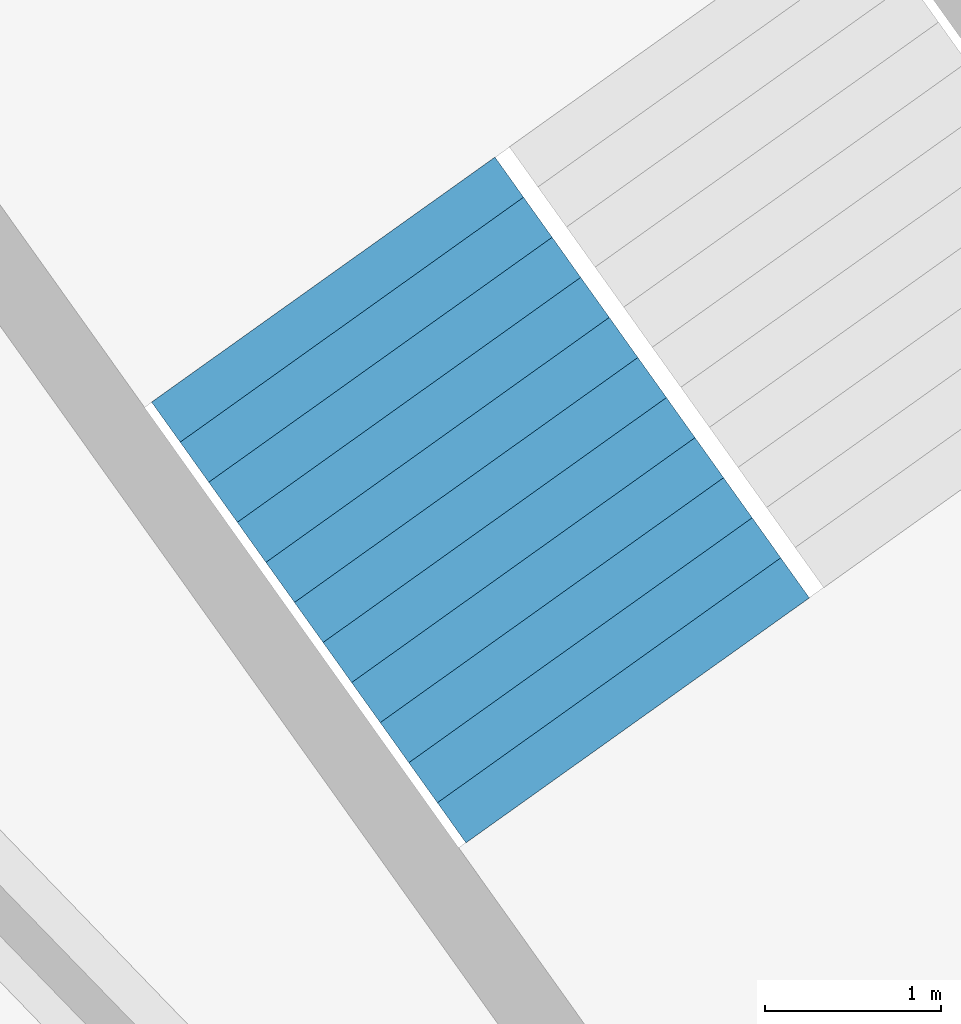
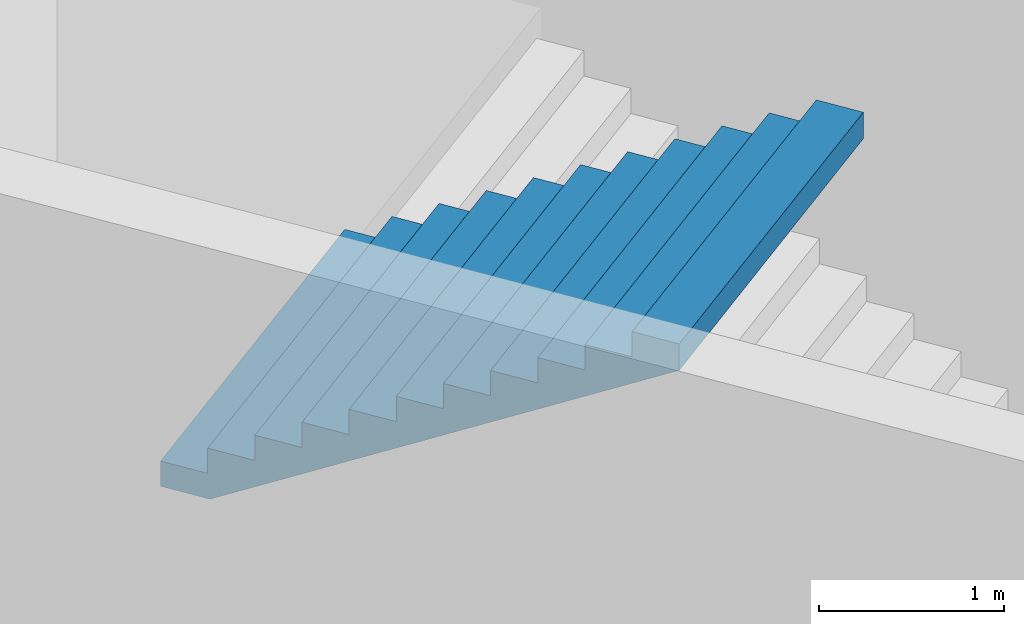
# One storey, part 43 of 74: 1 stair flight, 1 element without a shape of its own.
"""IFC4 building model written with IfcOpenShell, lengths in metres."""

from ifc_helpers import new_model, si_unit, direction, frame, origin, place, context, subcontext, project, spatial, triangles, material, type_object, element, aggregate, save


model = new_model("IFC4")

# Units and contexts
model_context = context("Model", 3, precision=1e-05, world=origin(), true_north=direction((0.0, 1.0)))
body_context = subcontext(model_context, "Body", "Model", "MODEL_VIEW")
ifc_project = project(units=[si_unit("LENGTHUNIT", "METRE"), si_unit("AREAUNIT", "SQUARE_METRE"), si_unit("VOLUMEUNIT", "CUBIC_METRE"), si_unit("PLANEANGLEUNIT", "RADIAN"), si_unit("MASSUNIT", "GRAM", prefix="KILO")], contexts=[model_context])

# Site, building, storey
site_placement = place(None, origin())
site = spatial("IfcSite", under=ifc_project, at=site_placement, CompositionType="ELEMENT")
building_placement = place(site_placement, origin())
building = spatial("IfcBuilding", under=site, at=building_placement, Name="Lantaw Convention Tower", CompositionType="ELEMENT")
storey_placement = place(building_placement, frame((0.0, 0.0, 6.5)))
storey = spatial("IfcBuildingStorey", under=building, at=storey_placement, Name="L01", CompositionType="ELEMENT", Elevation=6.5)

# Stair, stair flight
ifc_material = material(Name="Concrete C35/45", Category="concrete")
stair_type = type_object("IfcStairType", Name="Exit stair 2400 riser 166.67 in 4 flights", PredefinedType="HALF_TURN_STAIR", material=ifc_material)
stair_placement = place(storey_placement, origin())
stair = element("IfcStair", 1, at=stair_placement, inside=storey, type_object=stair_type, Name="Podium exit stair P6 L01", PredefinedType="HALF_TURN_STAIR")
stair_flight_type = type_object("IfcStairFlightType", Name="Stair flight 2400 riser 166.67", PredefinedType="STRAIGHT", material=ifc_material)
stair_flight_placement = place(storey_placement, frame((-20.794189453125, 26.999755859375, 6.0), z_axis=(0.0, 0.0, 1.0), x_axis=(0.580702955711, -0.814115518356, 0.0)))
stair_flight = element("IfcStairFlight", 2, at=stair_flight_placement, type_object=stair_flight_type, Name="P6 flight 4", NumberOfRisers=12, NumberOfTreads=11, PredefinedType="STRAIGHT", RiserHeight=0.166666667, TreadLength=0.28, context=body_context, shape_type="Tessellation", body=[
    triangles([(0.0, 1.199951171875, 0.0), (0.0, 1.199951171875, 0.166666667), (0.28, 1.199951171875, 0.0), (0.28, 1.199951171875, 0.166666667), (0.28, 1.199951171875, 0.333333334), (0.29307345806906726, 1.199951171875, 0.0), (0.29307345806906726, 1.199951171875, 0.333333334), (0.56, 1.199951171875, 0.15888484670522965), (0.56, 1.199951171875, 0.333333334), (0.56, 1.199951171875, 0.500000001), (0.8400000000000001, 1.199951171875, 0.3255515137052296), (0.8400000000000001, 1.199951171875, 0.500000001), (0.8400000000000001, 1.199951171875, 0.666666668), (1.12, 1.199951171875, 0.4922181807052296), (1.12, 1.199951171875, 0.666666668), (1.12, 1.199951171875, 0.833333335), (1.4000000000000001, 1.199951171875, 0.6588848477052296), (1.4000000000000001, 1.199951171875, 0.833333335), (1.4000000000000001, 1.199951171875, 1.000000002), (1.6800000000000002, 1.199951171875, 0.8255515147052296), (1.6800000000000002, 1.199951171875, 1.000000002), (1.6800000000000002, 1.199951171875, 1.166666669), (1.9600000000000002, 1.199951171875, 0.9922181817052296), (1.9600000000000002, 1.199951171875, 1.166666669), (1.9600000000000002, 1.199951171875, 1.333333336), (2.24, 1.199951171875, 1.1588848487052295), (2.24, 1.199951171875, 1.333333336), (2.24, 1.199951171875, 1.5000000029999998), (2.5200000000000005, 1.199951171875, 1.3255515157052296), (2.5200000000000005, 1.199951171875, 1.5000000029999998), (2.5200000000000005, 1.199951171875, 1.66666667), (2.8000000000000003, 1.199951171875, 1.4922181827052294), (2.8000000000000003, 1.199951171875, 1.66666667), (2.8000000000000003, 1.199951171875, 1.833333337), (3.08, 1.199951171875, 1.6588848497052293), (3.08, 1.199951171875, 1.833333337), (0.0, -1.199951171875, 0.0), (0.0, -1.199951171875, 0.166666667), (0.28, -1.199951171875, 0.0), (0.28, -1.199951171875, 0.166666667), (0.28, -1.199951171875, 0.333333334), (0.29307345806906726, -1.199951171875, 0.0), (0.29307345806906726, -1.199951171875, 0.333333334), (0.56, -1.199951171875, 0.15888484670522965), (0.56, -1.199951171875, 0.333333334), (0.56, -1.199951171875, 0.500000001), (0.8400000000000001, -1.199951171875, 0.3255515137052296), (0.8400000000000001, -1.199951171875, 0.500000001), (0.8400000000000001, -1.199951171875, 0.666666668), (1.12, -1.199951171875, 0.4922181807052296), (1.12, -1.199951171875, 0.666666668), (1.12, -1.199951171875, 0.833333335), (1.4000000000000001, -1.199951171875, 0.6588848477052296), (1.4000000000000001, -1.199951171875, 0.833333335), (1.4000000000000001, -1.199951171875, 1.000000002), (1.6800000000000002, -1.199951171875, 0.8255515147052296), (1.6800000000000002, -1.199951171875, 1.000000002), (1.6800000000000002, -1.199951171875, 1.166666669), (1.9600000000000002, -1.199951171875, 0.9922181817052296), (1.9600000000000002, -1.199951171875, 1.166666669), (1.9600000000000002, -1.199951171875, 1.333333336), (2.24, -1.199951171875, 1.1588848487052295), (2.24, -1.199951171875, 1.333333336), (2.24, -1.199951171875, 1.5000000029999998), (2.5200000000000005, -1.199951171875, 1.3255515157052296), (2.5200000000000005, -1.199951171875, 1.5000000029999998), (2.5200000000000005, -1.199951171875, 1.66666667), (2.8000000000000003, -1.199951171875, 1.4922181827052294), (2.8000000000000003, -1.199951171875, 1.66666667), (2.8000000000000003, -1.199951171875, 1.833333337), (3.08, -1.199951171875, 1.6588848497052293), (3.08, -1.199951171875, 1.833333337), (0.0, 0.239990234375, 0.166666667), (0.0, 0.239990234375, 0.0), (0.0, 0.1199951171875, 0.166666667), (0.0, 0.1199951171875, 0.0), (0.0, 0.0, 0.166666667), (0.0, 0.0, 0.0), (0.0, -0.1199951171875, 0.166666667), (0.0, -0.1199951171875, 0.0), (0.0, -0.239990234375, 0.166666667), (0.0, -0.239990234375, 0.0), (0.28, 0.239990234375, 0.333333334), (0.28, 0.239990234375, 0.166666667), (0.28, 0.1199951171875, 0.333333334), (0.28, 0.1199951171875, 0.166666667), (0.28, 0.0, 0.333333334), (0.28, 0.0, 0.166666667), (0.28, -0.1199951171875, 0.333333334), (0.28, -0.1199951171875, 0.166666667), (0.28, -0.239990234375, 0.333333334), (0.28, -0.239990234375, 0.166666667), (0.56, 0.239990234375, 0.500000001), (0.56, 0.239990234375, 0.333333334), (0.56, 0.1199951171875, 0.500000001), (0.56, 0.1199951171875, 0.333333334), (0.56, 0.0, 0.500000001), (0.56, 0.0, 0.333333334), (0.56, -0.1199951171875, 0.500000001), (0.56, -0.1199951171875, 0.333333334), (0.56, -0.239990234375, 0.500000001), (0.56, -0.239990234375, 0.333333334), (0.8400000000000001, 0.239990234375, 0.666666668), (0.8400000000000001, 0.239990234375, 0.500000001), (0.8400000000000001, 0.1199951171875, 0.666666668), (0.8400000000000001, 0.1199951171875, 0.500000001), (0.8400000000000001, 0.0, 0.666666668), (0.8400000000000001, 0.0, 0.500000001), (0.8400000000000001, -0.1199951171875, 0.666666668), (0.8400000000000001, -0.1199951171875, 0.500000001), (0.8400000000000001, -0.239990234375, 0.666666668), (0.8400000000000001, -0.239990234375, 0.500000001), (1.12, 0.239990234375, 0.833333335), (1.12, 0.239990234375, 0.666666668), (1.12, 0.1199951171875, 0.833333335), (1.12, 0.1199951171875, 0.666666668), (1.12, 0.0, 0.833333335), (1.12, 0.0, 0.666666668), (1.12, -0.1199951171875, 0.833333335), (1.12, -0.1199951171875, 0.666666668), (1.12, -0.239990234375, 0.833333335), (1.12, -0.239990234375, 0.666666668), (1.4000000000000001, 0.239990234375, 1.000000002), (1.4000000000000001, 0.239990234375, 0.833333335), (1.4000000000000001, 0.1199951171875, 1.000000002), (1.4000000000000001, 0.1199951171875, 0.833333335), (1.4000000000000001, 0.0, 1.000000002), (1.4000000000000001, 0.0, 0.833333335), (1.4000000000000001, -0.1199951171875, 1.000000002), (1.4000000000000001, -0.1199951171875, 0.833333335), (1.4000000000000001, -0.239990234375, 1.000000002), (1.4000000000000001, -0.239990234375, 0.833333335), (1.6800000000000002, 0.239990234375, 1.166666669), (1.6800000000000002, 0.239990234375, 1.000000002), (1.6800000000000002, 0.1199951171875, 1.166666669), (1.6800000000000002, 0.1199951171875, 1.000000002), (1.6800000000000002, 0.0, 1.166666669), (1.6800000000000002, 0.0, 1.000000002), (1.6800000000000002, -0.1199951171875, 1.166666669), (1.6800000000000002, -0.1199951171875, 1.000000002), (1.6800000000000002, -0.239990234375, 1.166666669), (1.6800000000000002, -0.239990234375, 1.000000002), (1.9600000000000002, 0.239990234375, 1.333333336), (1.9600000000000002, 0.239990234375, 1.166666669), (1.9600000000000002, 0.1199951171875, 1.333333336), (1.9600000000000002, 0.1199951171875, 1.166666669), (1.9600000000000002, 0.0, 1.333333336), (1.9600000000000002, 0.0, 1.166666669), (1.9600000000000002, -0.1199951171875, 1.333333336), (1.9600000000000002, -0.1199951171875, 1.166666669), (1.9600000000000002, -0.239990234375, 1.333333336), (1.9600000000000002, -0.239990234375, 1.166666669), (2.24, 0.239990234375, 1.5000000029999998), (2.24, 0.239990234375, 1.333333336), (2.24, 0.1199951171875, 1.5000000029999998), (2.24, 0.1199951171875, 1.333333336), (2.24, 0.0, 1.5000000029999998), (2.24, 0.0, 1.333333336), (2.24, -0.1199951171875, 1.5000000029999998), (2.24, -0.1199951171875, 1.333333336), (2.24, -0.239990234375, 1.5000000029999998), (2.24, -0.239990234375, 1.333333336), (2.5200000000000005, 0.239990234375, 1.66666667), (2.5200000000000005, 0.239990234375, 1.5000000029999998), (2.5200000000000005, 0.1199951171875, 1.66666667), (2.5200000000000005, 0.1199951171875, 1.5000000029999998), (2.5200000000000005, 0.0, 1.66666667), (2.5200000000000005, 0.0, 1.5000000029999998), (2.5200000000000005, -0.1199951171875, 1.66666667), (2.5200000000000005, -0.1199951171875, 1.5000000029999998), (2.5200000000000005, -0.239990234375, 1.66666667), (2.5200000000000005, -0.239990234375, 1.5000000029999998), (2.8000000000000003, 0.239990234375, 1.833333337), (2.8000000000000003, 0.239990234375, 1.66666667), (2.8000000000000003, 0.1199951171875, 1.833333337), (2.8000000000000003, 0.1199951171875, 1.66666667), (2.8000000000000003, 0.0, 1.833333337), (2.8000000000000003, 0.0, 1.66666667), (2.8000000000000003, -0.1199951171875, 1.833333337), (2.8000000000000003, -0.1199951171875, 1.66666667), (2.8000000000000003, -0.239990234375, 1.833333337), (2.8000000000000003, -0.239990234375, 1.66666667), (0.29307345806906726, 0.239990234375, 0.333333334), (0.29307345806906726, 0.1199951171875, 0.333333334), (0.29307345806906726, 0.0, 0.333333334), (0.29307345806906726, -0.1199951171875, 0.333333334), (0.29307345806906726, -0.239990234375, 0.333333334), (3.08, 0.239990234375, 1.833333337), (3.08, 0.1199951171875, 1.833333337), (3.08, 0.0, 1.833333337), (3.08, -0.1199951171875, 1.833333337), (3.08, -0.239990234375, 1.833333337), (3.08, 0.239990234375, 1.6588848497052293), (3.08, 0.1199951171875, 1.6588848497052293), (3.08, 0.0, 1.6588848497052293), (3.08, -0.1199951171875, 1.6588848497052293), (3.08, -0.239990234375, 1.6588848497052293), (2.8000000000000003, 0.239990234375, 1.4922181827052294), (2.8000000000000003, 0.1199951171875, 1.4922181827052294), (2.8000000000000003, 0.0, 1.4922181827052294), (2.8000000000000003, -0.1199951171875, 1.4922181827052294), (2.8000000000000003, -0.239990234375, 1.4922181827052294), (2.5200000000000005, 0.239990234375, 1.3255515157052296), (2.5200000000000005, 0.1199951171875, 1.3255515157052296), (2.5200000000000005, 0.0, 1.3255515157052296), (2.5200000000000005, -0.1199951171875, 1.3255515157052296), (2.5200000000000005, -0.239990234375, 1.3255515157052296), (2.24, 0.239990234375, 1.1588848487052295), (2.24, 0.1199951171875, 1.1588848487052295), (2.24, 0.0, 1.1588848487052295), (2.24, -0.1199951171875, 1.1588848487052295), (2.24, -0.239990234375, 1.1588848487052295), (1.9600000000000002, 0.239990234375, 0.9922181817052296), (1.9600000000000002, 0.1199951171875, 0.9922181817052296), (1.9600000000000002, 0.0, 0.9922181817052296), (1.9600000000000002, -0.1199951171875, 0.9922181817052296), (1.9600000000000002, -0.239990234375, 0.9922181817052296), (1.6800000000000002, 0.239990234375, 0.8255515147052296), (1.6800000000000002, 0.1199951171875, 0.8255515147052296), (1.6800000000000002, 0.0, 0.8255515147052296), (1.6800000000000002, -0.1199951171875, 0.8255515147052296), (1.6800000000000002, -0.239990234375, 0.8255515147052296), (1.4000000000000001, 0.239990234375, 0.6588848477052296), (1.4000000000000001, 0.1199951171875, 0.6588848477052296), (1.4000000000000001, 0.0, 0.6588848477052296), (1.4000000000000001, -0.1199951171875, 0.6588848477052296), (1.4000000000000001, -0.239990234375, 0.6588848477052296), (1.12, 0.239990234375, 0.4922181807052296), (1.12, 0.1199951171875, 0.4922181807052296), (1.12, 0.0, 0.4922181807052296), (1.12, -0.1199951171875, 0.4922181807052296), (1.12, -0.239990234375, 0.4922181807052296), (0.8400000000000001, 0.239990234375, 0.3255515137052296), (0.8400000000000001, 0.1199951171875, 0.3255515137052296), (0.8400000000000001, 0.0, 0.3255515137052296), (0.8400000000000001, -0.1199951171875, 0.3255515137052296), (0.8400000000000001, -0.239990234375, 0.3255515137052296), (0.56, 0.239990234375, 0.15888484670522965), (0.56, 0.1199951171875, 0.15888484670522965), (0.56, 0.0, 0.15888484670522965), (0.56, -0.1199951171875, 0.15888484670522965), (0.56, -0.239990234375, 0.15888484670522965), (0.29307345806906726, 0.239990234375, 0.0), (0.29307345806906726, 0.1199951171875, 0.0), (0.29307345806906726, 0.0, 0.0), (0.29307345806906726, -0.1199951171875, 0.0), (0.29307345806906726, -0.239990234375, 0.0), (0.28, 0.239990234375, 0.0), (0.28, 0.1199951171875, 0.0), (0.28, 0.0, 0.0), (0.28, -0.1199951171875, 0.0), (0.28, -0.239990234375, 0.0)], [[1, 4, 3], [1, 2, 4], [3, 4, 6], [4, 7, 6], [4, 5, 7], [6, 9, 8], [6, 7, 9], [8, 9, 11], [9, 12, 11], [9, 10, 12], [11, 12, 14], [12, 15, 14], [12, 13, 15], [14, 15, 17], [15, 18, 17], [15, 16, 18], [17, 18, 20], [18, 21, 20], [18, 19, 21], [20, 21, 23], [21, 24, 23], [21, 22, 24], [23, 24, 26], [24, 27, 26], [24, 25, 27], [26, 27, 29], [27, 30, 29], [27, 28, 30], [29, 30, 32], [30, 33, 32], [30, 31, 33], [32, 33, 35], [33, 36, 35], [33, 34, 36], [37, 39, 40], [37, 40, 38], [39, 42, 40], [40, 42, 43], [40, 43, 41], [42, 44, 45], [42, 45, 43], [44, 47, 45], [45, 47, 48], [45, 48, 46], [47, 50, 48], [48, 50, 51], [48, 51, 49], [50, 53, 51], [51, 53, 54], [51, 54, 52], [53, 56, 54], [54, 56, 57], [54, 57, 55], [56, 59, 57], [57, 59, 60], [57, 60, 58], [59, 62, 60], [60, 62, 63], [60, 63, 61], [62, 65, 63], [63, 65, 66], [63, 66, 64], [65, 68, 66], [66, 68, 69], [66, 69, 67], [68, 71, 69], [69, 71, 72], [69, 72, 70], [1, 73, 2], [1, 74, 73], [74, 75, 73], [74, 76, 75], [76, 77, 75], [76, 78, 77], [78, 79, 77], [78, 80, 79], [80, 81, 79], [80, 82, 81], [82, 38, 81], [82, 37, 38], [4, 83, 5], [4, 84, 83], [84, 85, 83], [84, 86, 85], [86, 87, 85], [86, 88, 87], [88, 89, 87], [88, 90, 89], [90, 91, 89], [90, 92, 91], [92, 41, 91], [92, 40, 41], [9, 93, 10], [9, 94, 93], [94, 95, 93], [94, 96, 95], [96, 97, 95], [96, 98, 97], [98, 99, 97], [98, 100, 99], [100, 101, 99], [100, 102, 101], [102, 46, 101], [102, 45, 46], [12, 103, 13], [12, 104, 103], [104, 105, 103], [104, 106, 105], [106, 107, 105], [106, 108, 107], [108, 109, 107], [108, 110, 109], [110, 111, 109], [110, 112, 111], [112, 49, 111], [112, 48, 49], [15, 113, 16], [15, 114, 113], [114, 115, 113], [114, 116, 115], [116, 117, 115], [116, 118, 117], [118, 119, 117], [118, 120, 119], [120, 121, 119], [120, 122, 121], [122, 52, 121], [122, 51, 52], [18, 123, 19], [18, 124, 123], [124, 125, 123], [124, 126, 125], [126, 127, 125], [126, 128, 127], [128, 129, 127], [128, 130, 129], [130, 131, 129], [130, 132, 131], [132, 55, 131], [132, 54, 55], [21, 133, 22], [21, 134, 133], [134, 135, 133], [134, 136, 135], [136, 137, 135], [136, 138, 137], [138, 139, 137], [138, 140, 139], [140, 141, 139], [140, 142, 141], [142, 58, 141], [142, 57, 58], [24, 143, 25], [24, 144, 143], [144, 145, 143], [144, 146, 145], [146, 147, 145], [146, 148, 147], [148, 149, 147], [148, 150, 149], [150, 151, 149], [150, 152, 151], [152, 61, 151], [152, 60, 61], [27, 153, 28], [27, 154, 153], [154, 155, 153], [154, 156, 155], [156, 157, 155], [156, 158, 157], [158, 159, 157], [158, 160, 159], [160, 161, 159], [160, 162, 161], [162, 64, 161], [162, 63, 64], [30, 163, 31], [30, 164, 163], [164, 165, 163], [164, 166, 165], [166, 167, 165], [166, 168, 167], [168, 169, 167], [168, 170, 169], [170, 171, 169], [170, 172, 171], [172, 67, 171], [172, 66, 67], [33, 173, 34], [33, 174, 173], [174, 175, 173], [174, 176, 175], [176, 177, 175], [176, 178, 177], [178, 179, 177], [178, 180, 179], [180, 181, 179], [180, 182, 181], [182, 70, 181], [182, 69, 70], [2, 84, 4], [2, 73, 84], [73, 86, 84], [73, 75, 86], [75, 88, 86], [75, 77, 88], [77, 90, 88], [77, 79, 90], [79, 92, 90], [79, 81, 92], [81, 40, 92], [81, 38, 40], [5, 183, 7], [5, 83, 183], [83, 184, 183], [83, 85, 184], [85, 185, 184], [85, 87, 185], [87, 186, 185], [87, 89, 186], [89, 187, 186], [89, 91, 187], [91, 43, 187], [91, 41, 43], [7, 94, 9], [7, 183, 94], [183, 96, 94], [183, 184, 96], [184, 98, 96], [184, 185, 98], [185, 100, 98], [185, 186, 100], [186, 102, 100], [186, 187, 102], [187, 45, 102], [187, 43, 45], [10, 104, 12], [10, 93, 104], [93, 106, 104], [93, 95, 106], [95, 108, 106], [95, 97, 108], [97, 110, 108], [97, 99, 110], [99, 112, 110], [99, 101, 112], [101, 48, 112], [101, 46, 48], [13, 114, 15], [13, 103, 114], [103, 116, 114], [103, 105, 116], [105, 118, 116], [105, 107, 118], [107, 120, 118], [107, 109, 120], [109, 122, 120], [109, 111, 122], [111, 51, 122], [111, 49, 51], [16, 124, 18], [16, 113, 124], [113, 126, 124], [113, 115, 126], [115, 128, 126], [115, 117, 128], [117, 130, 128], [117, 119, 130], [119, 132, 130], [119, 121, 132], [121, 54, 132], [121, 52, 54], [19, 134, 21], [19, 123, 134], [123, 136, 134], [123, 125, 136], [125, 138, 136], [125, 127, 138], [127, 140, 138], [127, 129, 140], [129, 142, 140], [129, 131, 142], [131, 57, 142], [131, 55, 57], [22, 144, 24], [22, 133, 144], [133, 146, 144], [133, 135, 146], [135, 148, 146], [135, 137, 148], [137, 150, 148], [137, 139, 150], [139, 152, 150], [139, 141, 152], [141, 60, 152], [141, 58, 60], [25, 154, 27], [25, 143, 154], [143, 156, 154], [143, 145, 156], [145, 158, 156], [145, 147, 158], [147, 160, 158], [147, 149, 160], [149, 162, 160], [149, 151, 162], [151, 63, 162], [151, 61, 63], [28, 164, 30], [28, 153, 164], [153, 166, 164], [153, 155, 166], [155, 168, 166], [155, 157, 168], [157, 170, 168], [157, 159, 170], [159, 172, 170], [159, 161, 172], [161, 66, 172], [161, 64, 66], [31, 174, 33], [31, 163, 174], [163, 176, 174], [163, 165, 176], [165, 178, 176], [165, 167, 178], [167, 180, 178], [167, 169, 180], [169, 182, 180], [169, 171, 182], [171, 69, 182], [171, 67, 69], [34, 188, 36], [34, 173, 188], [173, 189, 188], [173, 175, 189], [175, 190, 189], [175, 177, 190], [177, 191, 190], [177, 179, 191], [179, 192, 191], [179, 181, 192], [181, 72, 192], [181, 70, 72], [36, 193, 35], [36, 188, 193], [188, 194, 193], [188, 189, 194], [189, 195, 194], [189, 190, 195], [190, 196, 195], [190, 191, 196], [191, 197, 196], [191, 192, 197], [192, 71, 197], [192, 72, 71], [35, 198, 32], [35, 193, 198], [193, 199, 198], [193, 194, 199], [194, 200, 199], [194, 195, 200], [195, 201, 200], [195, 196, 201], [196, 202, 201], [196, 197, 202], [197, 68, 202], [197, 71, 68], [32, 203, 29], [32, 198, 203], [198, 204, 203], [198, 199, 204], [199, 205, 204], [199, 200, 205], [200, 206, 205], [200, 201, 206], [201, 207, 206], [201, 202, 207], [202, 65, 207], [202, 68, 65], [29, 208, 26], [29, 203, 208], [203, 209, 208], [203, 204, 209], [204, 210, 209], [204, 205, 210], [205, 211, 210], [205, 206, 211], [206, 212, 211], [206, 207, 212], [207, 62, 212], [207, 65, 62], [26, 213, 23], [26, 208, 213], [208, 214, 213], [208, 209, 214], [209, 215, 214], [209, 210, 215], [210, 216, 215], [210, 211, 216], [211, 217, 216], [211, 212, 217], [212, 59, 217], [212, 62, 59], [23, 218, 20], [23, 213, 218], [213, 219, 218], [213, 214, 219], [214, 220, 219], [214, 215, 220], [215, 221, 220], [215, 216, 221], [216, 222, 221], [216, 217, 222], [217, 56, 222], [217, 59, 56], [20, 223, 17], [20, 218, 223], [218, 224, 223], [218, 219, 224], [219, 225, 224], [219, 220, 225], [220, 226, 225], [220, 221, 226], [221, 227, 226], [221, 222, 227], [222, 53, 227], [222, 56, 53], [17, 228, 14], [17, 223, 228], [223, 229, 228], [223, 224, 229], [224, 230, 229], [224, 225, 230], [225, 231, 230], [225, 226, 231], [226, 232, 231], [226, 227, 232], [227, 50, 232], [227, 53, 50], [14, 233, 11], [14, 228, 233], [228, 234, 233], [228, 229, 234], [229, 235, 234], [229, 230, 235], [230, 236, 235], [230, 231, 236], [231, 237, 236], [231, 232, 237], [232, 47, 237], [232, 50, 47], [11, 238, 8], [11, 233, 238], [233, 239, 238], [233, 234, 239], [234, 240, 239], [234, 235, 240], [235, 241, 240], [235, 236, 241], [236, 242, 241], [236, 237, 242], [237, 44, 242], [237, 47, 44], [8, 243, 6], [8, 238, 243], [238, 244, 243], [238, 239, 244], [239, 245, 244], [239, 240, 245], [240, 246, 245], [240, 241, 246], [241, 247, 246], [241, 242, 247], [242, 42, 247], [242, 44, 42], [6, 248, 3], [6, 243, 248], [243, 249, 248], [243, 244, 249], [244, 250, 249], [244, 245, 250], [245, 251, 250], [245, 246, 251], [246, 252, 251], [246, 247, 252], [247, 39, 252], [247, 42, 39], [3, 74, 1], [3, 248, 74], [248, 76, 74], [248, 249, 76], [249, 78, 76], [249, 250, 78], [250, 80, 78], [250, 251, 80], [251, 82, 80], [251, 252, 82], [252, 37, 82], [252, 39, 37]], closed=True),
])
aggregate(stair, [stair_flight])

save(model, "model.ifc")
